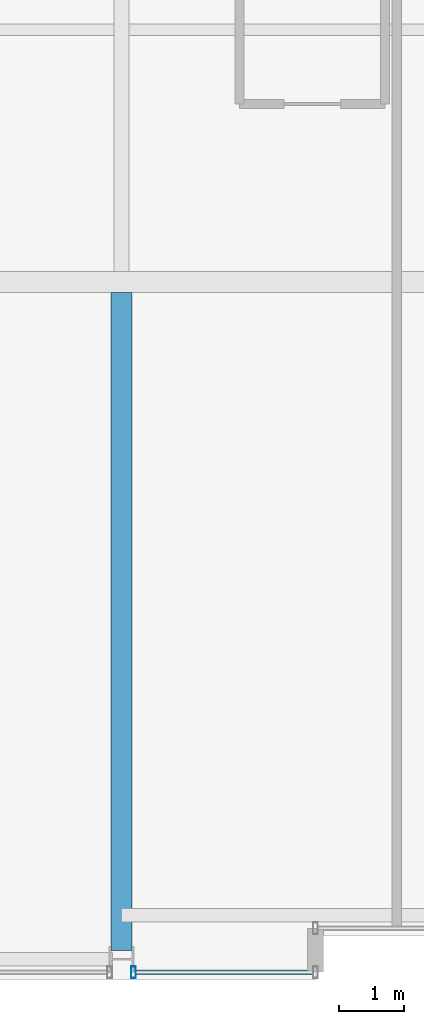
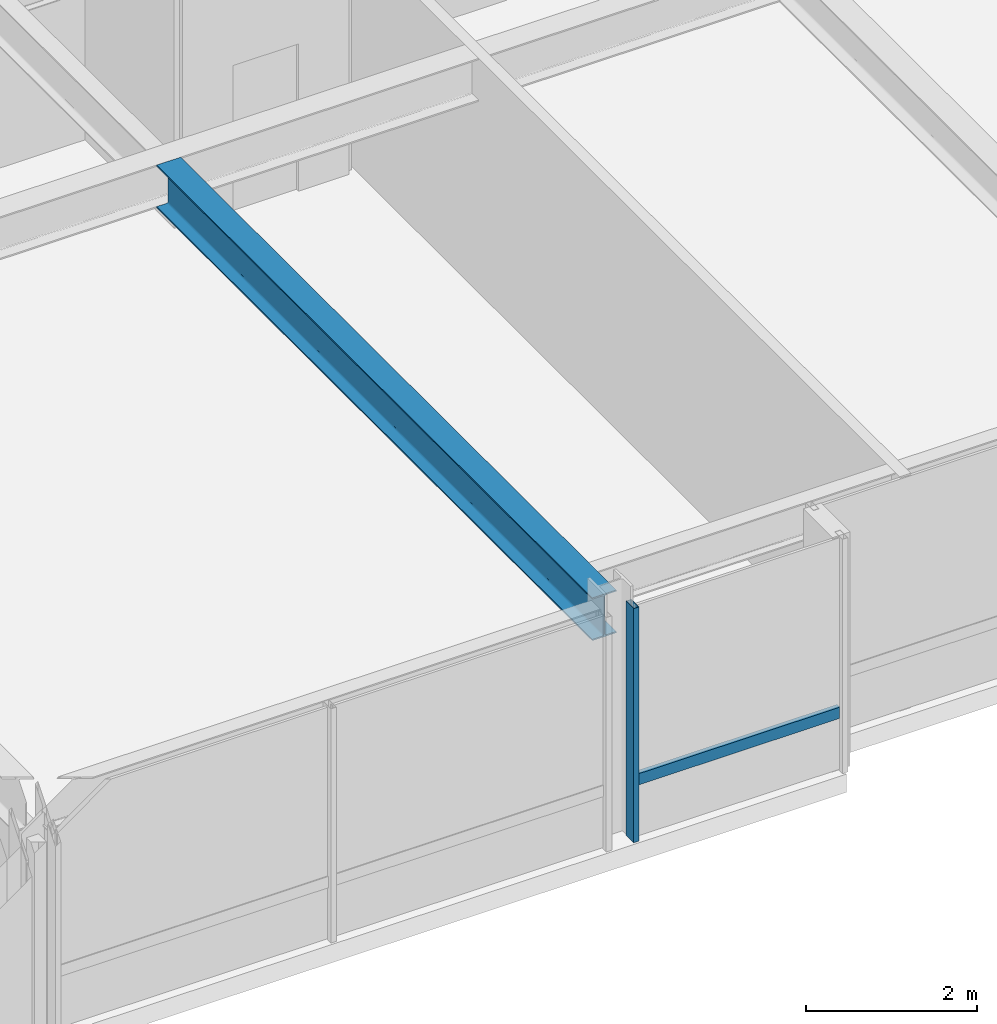
# One storey, part 3 of 30: 2 members, 1 beam, 1 element without a shape of its own.
"""IFC4 building model written with IfcOpenShell, lengths in metres."""

from ifc_helpers import new_model, si_unit, direction, frame, origin, origin_2d, place, context, subcontext, project, spatial, hollow_rectangle, i_section, extrude, material, layer, layer_set, material_profile, profile_set, type_object, element, aggregate, save


model = new_model("IFC4")

# Units and contexts
model_context = context("Model", 3, precision=1e-05, world=origin(), true_north=direction((0.0, 1.0)))
body_context = subcontext(model_context, "Body", "Model", "MODEL_VIEW")
ifc_project = project(units=[si_unit("LENGTHUNIT", "METRE"), si_unit("AREAUNIT", "SQUARE_METRE"), si_unit("VOLUMEUNIT", "CUBIC_METRE"), si_unit("PLANEANGLEUNIT", "RADIAN"), si_unit("MASSUNIT", "GRAM", prefix="KILO")], contexts=[model_context])

# Site, building, storey
site_placement = place(None, origin())
site = spatial("IfcSite", under=ifc_project, at=site_placement, CompositionType="ELEMENT")
building_placement = place(site_placement, origin())
building = spatial("IfcBuilding", under=site, at=building_placement, Name="Drelvath Grand Hotel", CompositionType="ELEMENT")
storey_placement = place(building_placement, frame((0.0, 0.0, 215.89990234375)))
storey = spatial("IfcBuildingStorey", under=building, at=storey_placement, Name="L56", CompositionType="ELEMENT", Elevation=215.89990234375)

# Curtain wall, members
ifc_material_1 = material(Name="Platinum-Mist Anodised Aluminium Frame", Category="aluminium")
ifc_layer = layer(ifc_material_1, 0.199951171875)
ifc_layer_set = layer_set([ifc_layer], Name="Platinum-Mist Anodised Aluminium Frame")
curtain_wall_type = type_object("IfcCurtainWallType", Name="Stick Curtain Wall CW-05 Platinum Mist High-Rise", PredefinedType="NOTDEFINED", material=ifc_layer_set)
curtain_wall_placement = place(storey_placement, origin())
curtain_wall = element("IfcCurtainWall", 1, at=curtain_wall_placement, inside=storey, type_object=curtain_wall_type, Name="L56 CW-05 Curtain Wall CW05-L56-SW3", PredefinedType="NOTDEFINED")
ifc_material_profile_1 = material_profile(ifc_material_1, hollow_rectangle(XDim=0.06494140625, YDim=0.159912109375, WallThickness=0.00390625, at=origin_2d()), Name="HSS160X65X4")
ifc_profile_set_1 = profile_set([ifc_material_profile_1], Name="Platinum-Mist Anodised Aluminium Frame")
member_type_1 = type_object("IfcMemberType", Name="Curtain Wall Horizontal Transom CW-05 HSS160X65X4", PredefinedType="USERDEFINED", material=ifc_profile_set_1)
member_1_placement = place(storey_placement, frame((-5.43994140625, 0.1201171875, 0.835205078125), z_axis=(-1.0, 0.0, 0.0), x_axis=(0.0, -1.0, 0.0)))
member_1 = element("IfcMember", 2, at=member_1_placement, type_object=member_type_1, Name="CW05-L56-SW3 Sill Transom", ObjectType="TRANSOM", PredefinedType="USERDEFINED", context=body_context, shape_type="SweptSolid", body=[
    extrude(hollow_rectangle(XDim=0.06494140625, YDim=0.159912109375, WallThickness=0.00390625, at=origin_2d()), origin(), (0.0, 0.0, 1.0), 2.73486328125),
])
ifc_material_profile_2 = material_profile(ifc_material_1, hollow_rectangle(XDim=0.074951171875, YDim=0.179931640625, WallThickness=0.0048828125, at=origin_2d()), Name="HSS180X75X5")
ifc_profile_set_2 = profile_set([ifc_material_profile_2], Name="Platinum-Mist Anodised Aluminium Frame")
member_type_2 = type_object("IfcMemberType", Name="Curtain Wall Vertical Mullion CW-05 HSS180X75X5", PredefinedType="MULLION", material=ifc_profile_set_2)
member_2_placement = place(storey_placement, frame((-8.214599609375, 0.1201171875, 0.0), z_axis=(0.0, 0.0, 1.0), x_axis=(1.0, 0.0, 0.0)))
member_2 = element("IfcMember", 3, at=member_2_placement, type_object=member_type_2, Name="CW05-L56-SW3 Mullion 2", PredefinedType="MULLION", context=body_context, shape_type="SweptSolid", body=[
    extrude(hollow_rectangle(XDim=0.074951171875, YDim=0.179931640625, WallThickness=0.0048828125, at=origin_2d()), origin(), (0.0, 0.0, 1.0), 3.340087890625),
])
aggregate(curtain_wall, [member_2, member_1])

# Beam
ifc_material_2 = material(Name="Steel ASTM A992 Gr 50", Category="steel")
ifc_material_profile_3 = material_profile(ifc_material_2, i_section(OverallWidth=0.323974609375, OverallDepth=0.611083984375, WebThickness=0.0126953125, FlangeThickness=0.01904296875, FilletRadius=0.02197265625, at=origin_2d()), Name="W24X104")
ifc_profile_set_3 = profile_set([ifc_material_profile_3], Name="Steel ASTM A992 Gr 50")
beam_type = type_object("IfcBeamType", Name="Primary Floor Girder W24X104", PredefinedType="BEAM", material=ifc_profile_set_3)
beam_placement = place(storey_placement, frame((-8.39990234375, 0.4599609375, 3.034423828125), z_axis=(0.0, 1.0, 0.0), x_axis=(-1.0, 0.0, 0.0)))
element("IfcBeam", 4, at=beam_placement, inside=storey, type_object=beam_type, Name="L56 South Wing Girder 4", PredefinedType="BEAM", context=body_context, shape_type="SweptSolid", body=[
    extrude(i_section(OverallWidth=0.323974609375, OverallDepth=0.611083984375, WebThickness=0.0126953125, FlangeThickness=0.01904296875, FilletRadius=0.02197265625, at=origin_2d()), origin(), (0.0, 0.0, 1.0), 10.177978515625),
])

save(model, "model.ifc")
